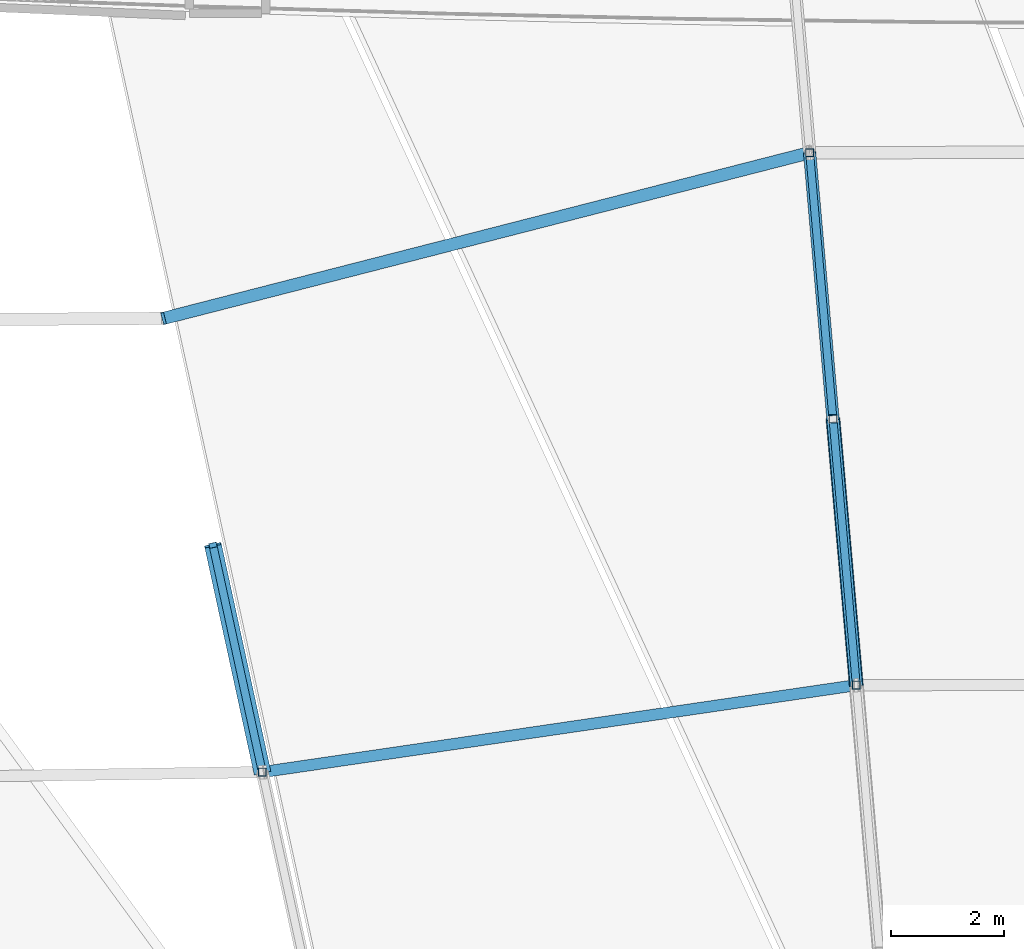
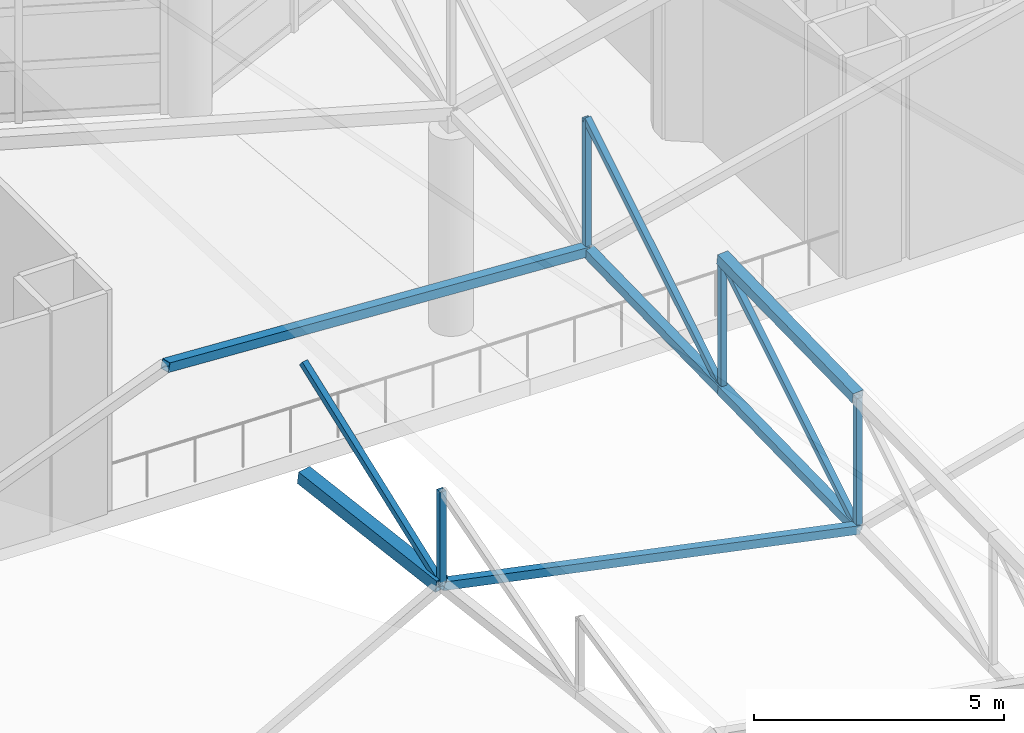
# One storey, part 149 of 344: 13 members.
"""IFC4 building model written with IfcOpenShell, lengths in metres."""

from ifc_helpers import new_model, si_unit, direction, frame, origin, origin_2d, place, context, subcontext, project, spatial, hollow_rectangle, extrude, material, material_profile, profile_set, type_object, element, save


model = new_model("IFC4")

# Units and contexts
model_context = context("Model", 3, precision=1e-05, world=origin(), true_north=direction((0.0, 1.0)))
body_context = subcontext(model_context, "Body", "Model", "MODEL_VIEW")
ifc_project = project(units=[si_unit("LENGTHUNIT", "METRE"), si_unit("AREAUNIT", "SQUARE_METRE"), si_unit("VOLUMEUNIT", "CUBIC_METRE"), si_unit("PLANEANGLEUNIT", "RADIAN"), si_unit("MASSUNIT", "GRAM", prefix="KILO")], contexts=[model_context])

# Site, building, storey
site_placement = place(None, origin())
site = spatial("IfcSite", under=ifc_project, at=site_placement, CompositionType="ELEMENT")
building_placement = place(site_placement, origin())
building = spatial("IfcBuilding", under=site, at=building_placement, Name="Meseta Stadium", CompositionType="ELEMENT")
storey_placement = place(building_placement, frame((0.0, 0.0, 24.0)))
storey = spatial("IfcBuildingStorey", under=building, at=storey_placement, Name="L04", CompositionType="ELEMENT", Elevation=24.0)

# Members
ifc_material_1 = material(Name="Steel S355", Category="steel")
ifc_material_profile_1 = material_profile(ifc_material_1, hollow_rectangle(XDim=0.139892578125, YDim=0.139892578125, WallThickness=0.0048828125, at=origin_2d()), Name="SHS 140x140x5")
ifc_profile_set_1 = profile_set([ifc_material_profile_1], Name="Steel S355")
member_type_1 = type_object("IfcMemberType", Name="SHS 140x140x5 diagonal", PredefinedType="BRACE", material=ifc_profile_set_1)
for number, where, z_axis, x_axis, name in (
    (1, (-5.633056640625, 75.395751953125, 3.147216796875), (-0.067421115428, 0.769239022293, 0.635394145217), (-0.996181033358, -0.087311790601, 0.0), "ROOF TRUSS RT-19 diagonal"),
    (2, (-6.045654296875, 80.103271484375, 3.835693359375), (-0.067423184498, 0.769222733906, 0.635413644672), (-0.996180639476, -0.087316284462, 0.0), "ROOF TRUSS RT-19 diagonal"),
):
    element("IfcMember", number, at=place(storey_placement, frame(where, z_axis=z_axis, x_axis=x_axis)), inside=storey, type_object=member_type_1, Name=name, PredefinedType="BRACE", context=body_context, shape_type="SweptSolid", body=[
        extrude(hollow_rectangle(XDim=0.139892578125, YDim=0.139892578125, WallThickness=0.0048828125, at=origin_2d()), origin(), (0.0, 0.0, 1.0), 6.11962890625),
    ])
member_1_placement = place(storey_placement, frame((-16.1357421875, 73.859130859375, 6.376220703125), z_axis=(-0.165824714769, 0.762097919904, 0.625866538848), x_axis=(-0.9771360896, -0.212614821687, 0.0)))
element("IfcMember", 3, at=member_1_placement, inside=storey, type_object=member_type_1, Name="ROOF TRUSS RT-20 diagonal", PredefinedType="BRACE", context=body_context, shape_type="SweptSolid", body=[
    extrude(hollow_rectangle(XDim=0.139892578125, YDim=0.139892578125, WallThickness=0.0048828125, at=origin_2d()), origin(), (0.0, 0.0, 1.0), 5.263427734375),
])
ifc_material_2 = material(Name="Steel S355", Category="steel")
ifc_material_profile_2 = material_profile(ifc_material_2, hollow_rectangle(XDim=0.139892578125, YDim=0.139892578125, WallThickness=0.0048828125, at=origin_2d()), Name="SHS 140x140x5")
ifc_profile_set_2 = profile_set([ifc_material_profile_2], Name="Steel S355")
member_type_2 = type_object("IfcMemberType", Name="SHS 140x140x5 post", PredefinedType="POST", material=ifc_profile_set_2)
for number, where, z_axis, x_axis, name in (
    (4, (-5.633056640625, 75.395751953125, 3.147216796875), (0.0, 0.0, 1.0), (1.0, 0.0, 0.0), "ROOF TRUSS RT-19 post"),
    (5, (-6.045654296875, 80.103271484375, 3.835693359375), (0.0, 0.0, 1.0), (1.0, 0.0, 0.0), "ROOF TRUSS RT-19 post"),
    (6, (-6.458251953125, 84.810546875, 4.524169921875), (0.0, 0.0, 1.0), (1.0, 0.0, 0.0), "ROOF TRUSS RT-19 post"),
):
    element("IfcMember", number, at=place(storey_placement, frame(where, z_axis=z_axis, x_axis=x_axis)), inside=storey, type_object=member_type_2, Name=name, PredefinedType="POST", context=body_context, shape_type="SweptSolid", body=[
        extrude(hollow_rectangle(XDim=0.139892578125, YDim=0.139892578125, WallThickness=0.0048828125, at=origin_2d()), origin(), (0.0, 0.0, 1.0), 3.199951171875),
    ])
member_2_placement = place(storey_placement, frame((-16.1357421875, 73.859130859375, 6.376220703125), z_axis=(0.0, 0.0, 1.0), x_axis=(1.0, 0.0, 0.0)))
element("IfcMember", 7, at=member_2_placement, inside=storey, type_object=member_type_2, Name="ROOF TRUSS RT-20 post", PredefinedType="POST", context=body_context, shape_type="SweptSolid", body=[
    extrude(hollow_rectangle(XDim=0.139892578125, YDim=0.139892578125, WallThickness=0.0048828125, at=origin_2d()), origin(), (0.0, 0.0, 1.0), 2.3017578125),
])
ifc_material_3 = material(Name="Steel S355", Category="steel")
ifc_material_profile_3 = material_profile(ifc_material_3, hollow_rectangle(XDim=0.199951171875, YDim=0.199951171875, WallThickness=0.008056640625, at=origin_2d()), Name="SHS 200x200x8")
ifc_profile_set_3 = profile_set([ifc_material_profile_3], Name="Steel S355")
member_type_3 = type_object("IfcMemberType", Name="SHS 200x200x8 strut", PredefinedType="STRUT", material=ifc_profile_set_3)
member_3_placement = place(storey_placement, frame((-5.633056640625, 75.395751953125, 3.147216796875), z_axis=(-0.946633325575, -0.138499503735, 0.291038200889), x_axis=(0.14476622625, -0.989465886091, 0.0)))
element("IfcMember", 8, at=member_3_placement, inside=storey, type_object=member_type_3, Name="ROOF TRUSS STRUT RT-19/20", PredefinedType="STRUT", context=body_context, shape_type="SweptSolid", body=[
    extrude(hollow_rectangle(XDim=0.199951171875, YDim=0.199951171875, WallThickness=0.008056640625, at=origin_2d()), origin(), (0.0, 0.0, 1.0), 11.0947265625),
])
ifc_material_4 = material(Name="Steel S355", Category="steel")
ifc_material_profile_4 = material_profile(ifc_material_4, hollow_rectangle(XDim=0.219970703125, YDim=0.219970703125, WallThickness=0.008056640625, at=origin_2d()), Name="SHS 220x220x8")
ifc_profile_set_4 = profile_set([ifc_material_profile_4], Name="Steel S355")
member_type_4 = type_object("IfcMemberType", Name="SHS 220x220x8 bottom chord", PredefinedType="CHORD", material=ifc_profile_set_4)
member_4_placement = place(storey_placement, frame((-5.633056640625, 75.395751953125, 3.147216796875), z_axis=(-0.086399640998, 0.985773892144, 0.144169815156), x_axis=(-0.996181033358, -0.087311790601, 0.0)))
element("IfcMember", 9, at=member_4_placement, inside=storey, type_object=member_type_4, Name="ROOF TRUSS RT-19 bottom chord", PredefinedType="CHORD", context=body_context, shape_type="SweptSolid", body=[
    extrude(hollow_rectangle(XDim=0.219970703125, YDim=0.219970703125, WallThickness=0.008056640625, at=origin_2d()), origin(), (0.0, 0.0, 1.0), 4.775390625),
])
member_5_placement = place(storey_placement, frame((-6.045654296875, 80.103271484375, 3.835693359375), z_axis=(-0.086403995476, 0.985772447789, 0.144177081208), x_axis=(-0.996180639476, -0.087316284462, 0.0)))
element("IfcMember", 10, at=member_5_placement, inside=storey, type_object=member_type_4, Name="ROOF TRUSS RT-19 bottom chord", PredefinedType="CHORD", context=body_context, shape_type="SweptSolid", body=[
    extrude(hollow_rectangle(XDim=0.219970703125, YDim=0.219970703125, WallThickness=0.008056640625, at=origin_2d()), origin(), (0.0, 0.0, 1.0), 4.775146484375),
])
ifc_material_5 = material(Name="Steel S355", Category="steel")
ifc_material_profile_5 = material_profile(ifc_material_5, hollow_rectangle(XDim=0.219970703125, YDim=0.219970703125, WallThickness=0.008056640625, at=origin_2d()), Name="SHS 220x220x8")
ifc_profile_set_5 = profile_set([ifc_material_profile_5], Name="Steel S355")
member_type_5 = type_object("IfcMemberType", Name="SHS 220x220x8 strut", PredefinedType="STRUT", material=ifc_profile_set_5)
member_6_placement = place(storey_placement, frame((-6.458251953125, 84.810546875, 4.524169921875), z_axis=(-0.939981192846, -0.241032151138, 0.241534385159), x_axis=(0.248386308044, -0.968661056292, 0.0)))
element("IfcMember", 11, at=member_6_placement, inside=storey, type_object=member_type_5, Name="ROOF TRUSS STRUT RT-19/20", PredefinedType="STRUT", context=body_context, shape_type="SweptSolid", body=[
    extrude(hollow_rectangle(XDim=0.219970703125, YDim=0.219970703125, WallThickness=0.008056640625, at=origin_2d()), origin(), (0.0, 0.0, 1.0), 12.15283203125),
])
ifc_material_6 = material(Name="Steel S355", Category="steel")
ifc_material_profile_6 = material_profile(ifc_material_6, hollow_rectangle(XDim=0.25, YDim=0.25, WallThickness=0.010009765625, at=origin_2d()), Name="SHS 250x250x10")
ifc_profile_set_6 = profile_set([ifc_material_profile_6], Name="Steel S355")
member_type_6 = type_object("IfcMemberType", Name="SHS 250x250x10 top chord", PredefinedType="CHORD", material=ifc_profile_set_6)
member_7_placement = place(storey_placement, frame((-5.633056640625, 75.395751953125, 6.34716796875), z_axis=(-0.086399640998, 0.985773892144, 0.144169815156), x_axis=(-0.996181033358, -0.087311790601, 0.0)))
element("IfcMember", 12, at=member_7_placement, inside=storey, type_object=member_type_6, Name="ROOF TRUSS RT-19 top chord", PredefinedType="CHORD", context=body_context, shape_type="SweptSolid", body=[
    extrude(hollow_rectangle(XDim=0.25, YDim=0.25, WallThickness=0.010009765625, at=origin_2d()), origin(), (0.0, 0.0, 1.0), 4.775390625),
])
ifc_material_7 = material(Name="Steel S355", Category="steel")
ifc_material_profile_7 = material_profile(ifc_material_7, hollow_rectangle(XDim=0.300048828125, YDim=0.300048828125, WallThickness=0.010009765625, at=origin_2d()), Name="SHS 300x300x10")
ifc_profile_set_7 = profile_set([ifc_material_profile_7], Name="Steel S355")
member_type_7 = type_object("IfcMemberType", Name="SHS 300x300x10 bottom chord", PredefinedType="CHORD", material=ifc_profile_set_7)
member_8_placement = place(storey_placement, frame((-16.1357421875, 73.859130859375, 6.376220703125), z_axis=(-0.210788830599, 0.968744192098, 0.130777517838), x_axis=(-0.9771360896, -0.212614821687, 0.0)))
element("IfcMember", 13, at=member_8_placement, inside=storey, type_object=member_type_7, Name="ROOF TRUSS RT-20 bottom chord", PredefinedType="CHORD", context=body_context, shape_type="SweptSolid", body=[
    extrude(hollow_rectangle(XDim=0.300048828125, YDim=0.300048828125, WallThickness=0.010009765625, at=origin_2d()), origin(), (0.0, 0.0, 1.0), 4.140625),
])

save(model, "model.ifc")
